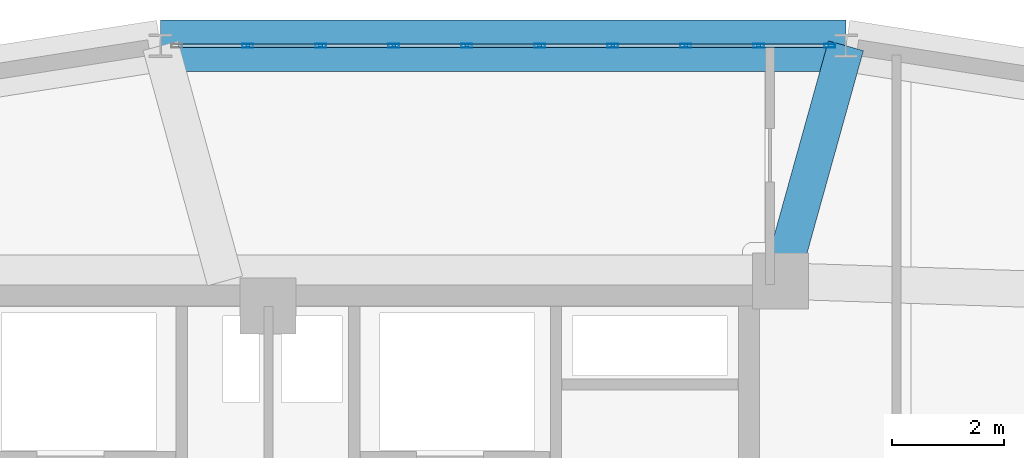
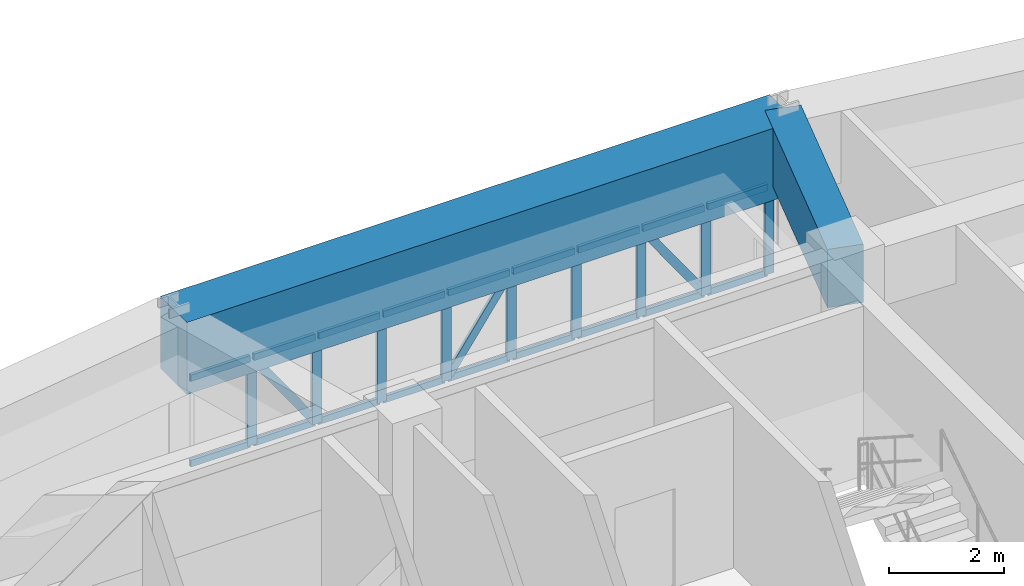
# One storey, part 13 of 19: 30 members, 2 beams, 1 element without a shape of its own.
"""IFC4 building model written with IfcOpenShell, lengths in metres."""

from ifc_helpers import new_model, si_unit, derived_unit, direction, frame, origin, origin_2d, place, context, subcontext, project, spatial, rectangle, hollow_rectangle, extrude, source, transform, mapped, material, layer, layer_set, material_profile, profile_set, type_object, element, aggregate, save


model = new_model("IFC4")

# Units and contexts
model_context = context("Model", 3, precision=1e-05, world=origin(), true_north=direction((0.0, 1.0)))
body_context = subcontext(model_context, "Body", "Model", "MODEL_VIEW")
ifc_project = project(units=[si_unit("LENGTHUNIT", "METRE"), si_unit("AREAUNIT", "SQUARE_METRE"), si_unit("VOLUMEUNIT", "CUBIC_METRE"), si_unit("PLANEANGLEUNIT", "RADIAN"), si_unit("MASSUNIT", "GRAM", prefix="KILO"), derived_unit("THERMALTRANSMITTANCEUNIT", [(si_unit("POWERUNIT", "WATT"), 1), (si_unit("LENGTHUNIT", "METRE"), -2), (si_unit("THERMODYNAMICTEMPERATUREUNIT", "KELVIN"), -1)])], contexts=[model_context])

# Site, building, storey
site_placement = place(None, origin())
site = spatial("IfcSite", under=ifc_project, at=site_placement, CompositionType="ELEMENT")
building_placement = place(site_placement, origin())
building = spatial("IfcBuilding", under=site, at=building_placement, Name="Korsvarv Bourse and Concert Hall", CompositionType="ELEMENT")
storey_placement = place(building_placement, frame((0.0, 0.0, 223.800048828125)))
storey = spatial("IfcBuildingStorey", under=building, at=storey_placement, Name="L58", CompositionType="ELEMENT", Elevation=223.800048828125)

# Beams
ifc_material_1 = material(Name="Concrete C50/60", Category="concrete")
ifc_material_profile_1 = material_profile(ifc_material_1, rectangle(XDim=0.919921875, YDim=1.530029296875, at=origin_2d()), Name="RC-BM 920x1530")
ifc_profile_set_1 = profile_set([ifc_material_profile_1], Name="Concrete C50/60")
beam_type_1 = type_object("IfcBeamType", Name="BM-TR-154", PredefinedType="BEAM", material=ifc_profile_set_1)
shared_shape_1 = source(origin(), body_context, "Body", "SweptSolid", [
    extrude(rectangle(XDim=0.919921875, YDim=1.530029296875, at=origin_2d()), origin(), (0.0, 0.0, 1.0), 12.238037109375),
])
beam_1_placement = place(storey_placement, frame((46.319091796875, 51.449951171875, 2.64501953125), z_axis=(-1.0, 0.0, 0.0), x_axis=(0.0, -1.0, 0.0)))
element("IfcBeam", 1, at=beam_1_placement, inside=storey, type_object=beam_type_1, Name="L58 beam B-TR6", PredefinedType="BEAM", context=body_context, shape_type="MappedRepresentation", body=[
    mapped(shared_shape_1, transform((0.0, 0.0, 0.0), scale=1.0)),
])
ifc_material_profile_2 = material_profile(ifc_material_1, rectangle(XDim=0.64990234375, YDim=1.239990234375, at=origin_2d()), Name="RC-BM 650x1240")
ifc_profile_set_2 = profile_set([ifc_material_profile_2], Name="Concrete C50/60")
beam_type_2 = type_object("IfcBeamType", Name="BM-TR-SPN", PredefinedType="BEAM", material=ifc_profile_set_2)
shared_shape_2 = source(origin(), body_context, "Body", "SweptSolid", [
    extrude(rectangle(XDim=0.64990234375, YDim=1.239990234375, at=origin_2d()), origin(), (0.0, 0.0, 1.0), 4.359619140625),
])
beam_2_placement = place(storey_placement, frame((46.319091796875, 51.449951171875, 2.7900390625), z_axis=(-0.268183924737, -0.963367729641, 0.0), x_axis=(0.963367729641, -0.268183924737, 0.0)))
element("IfcBeam", 2, at=beam_2_placement, inside=storey, type_object=beam_type_2, Name="L58 beam B-TRS", PredefinedType="BEAM", context=body_context, shape_type="MappedRepresentation", body=[
    mapped(shared_shape_2, transform((0.0, 0.0, 0.0), scale=1.0)),
])

# Curtain wall, members
ifc_material_2 = material(Name="Anodised aluminium and triple low-E glazing", Category="glass")
ifc_layer = layer(ifc_material_2, 0.199951171875)
ifc_layer_set = layer_set([ifc_layer], Name="Anodised aluminium and triple low-E glazing")
curtain_wall_type = type_object("IfcCurtainWallType", Name="CW-SYS-3", PredefinedType="NOTDEFINED", material=ifc_layer_set)
curtain_wall_placement = place(storey_placement, origin())
curtain_wall = element("IfcCurtainWall", 3, at=curtain_wall_placement, inside=storey, type_object=curtain_wall_type, Name="L58 CW3 curtain wall CW-L58-F03", PredefinedType="NOTDEFINED")
ifc_material_3 = material(Name="Extruded aluminium EN AW-6063 T66", Category="aluminium")
ifc_material_profile_3 = material_profile(ifc_material_3, hollow_rectangle(XDim=0.070068359375, YDim=0.18994140625, WallThickness=0.0048828125, at=origin_2d()), Name="ALU-M 70x190")
ifc_profile_set_3 = profile_set([ifc_material_profile_3], Name="Extruded aluminium EN AW-6063 T66")
member_type_1 = type_object("IfcMemberType", Name="CWM-190", PredefinedType="MULLION", material=ifc_profile_set_3)
shared_shape_3 = source(origin(), body_context, "Body", "SweptSolid", [
    extrude(hollow_rectangle(XDim=0.070068359375, YDim=0.18994140625, WallThickness=0.0048828125, at=origin_2d()), origin(), (0.0, 0.0, 1.0), 1.8798828125),
])
member_1_placement = place(storey_placement, frame((46.031005859375, 51.449951171875, 0.0), z_axis=(0.0, 0.0, 1.0), x_axis=(0.0, -1.0, 0.0)))
member_1 = element("IfcMember", 4, at=member_1_placement, type_object=member_type_1, Name="CW3 mullion 1", PredefinedType="MULLION", context=body_context, shape_type="MappedRepresentation", body=[
    mapped(shared_shape_3, transform((0.0, 0.0, 0.0), scale=1.0)),
])
member_2_placement = place(storey_placement, frame((44.762451171875, 51.449951171875, 0.0), z_axis=(0.0, 0.0, 1.0), x_axis=(0.0, -1.0, 0.0)))
member_2 = element("IfcMember", 5, at=member_2_placement, type_object=member_type_1, Name="CW3 mullion 2", PredefinedType="MULLION", context=body_context, shape_type="MappedRepresentation", body=[
    mapped(shared_shape_3, transform((0.0, 0.0, 0.0), scale=1.0)),
])
member_3_placement = place(storey_placement, frame((43.458984375, 51.449951171875, 0.0), z_axis=(0.0, 0.0, 1.0), x_axis=(0.0, -1.0, 0.0)))
member_3 = element("IfcMember", 6, at=member_3_placement, type_object=member_type_1, Name="CW3 mullion 3", PredefinedType="MULLION", context=body_context, shape_type="MappedRepresentation", body=[
    mapped(shared_shape_3, transform((0.0, 0.0, 0.0), scale=1.0)),
])
member_4_placement = place(storey_placement, frame((42.1552734375, 51.449951171875, 0.0), z_axis=(0.0, 0.0, 1.0), x_axis=(0.0, -1.0, 0.0)))
member_4 = element("IfcMember", 7, at=member_4_placement, type_object=member_type_1, Name="CW3 mullion 4", PredefinedType="MULLION", context=body_context, shape_type="MappedRepresentation", body=[
    mapped(shared_shape_3, transform((0.0, 0.0, 0.0), scale=1.0)),
])
member_5_placement = place(storey_placement, frame((40.851806640625, 51.449951171875, 0.0), z_axis=(0.0, 0.0, 1.0), x_axis=(0.0, -1.0, 0.0)))
member_5 = element("IfcMember", 8, at=member_5_placement, type_object=member_type_1, Name="CW3 mullion 5", PredefinedType="MULLION", context=body_context, shape_type="MappedRepresentation", body=[
    mapped(shared_shape_3, transform((0.0, 0.0, 0.0), scale=1.0)),
])
member_6_placement = place(storey_placement, frame((39.54833984375, 51.449951171875, 0.0), z_axis=(0.0, 0.0, 1.0), x_axis=(0.0, -1.0, 0.0)))
member_6 = element("IfcMember", 9, at=member_6_placement, type_object=member_type_1, Name="CW3 mullion 6", PredefinedType="MULLION", context=body_context, shape_type="MappedRepresentation", body=[
    mapped(shared_shape_3, transform((0.0, 0.0, 0.0), scale=1.0)),
])
member_7_placement = place(storey_placement, frame((38.24462890625, 51.449951171875, 0.0), z_axis=(0.0, 0.0, 1.0), x_axis=(0.0, -1.0, 0.0)))
member_7 = element("IfcMember", 10, at=member_7_placement, type_object=member_type_1, Name="CW3 mullion 7", PredefinedType="MULLION", context=body_context, shape_type="MappedRepresentation", body=[
    mapped(shared_shape_3, transform((0.0, 0.0, 0.0), scale=1.0)),
])
member_8_placement = place(storey_placement, frame((36.941162109375, 51.449951171875, 0.0), z_axis=(0.0, 0.0, 1.0), x_axis=(0.0, -1.0, 0.0)))
member_8 = element("IfcMember", 11, at=member_8_placement, type_object=member_type_1, Name="CW3 mullion 8", PredefinedType="MULLION", context=body_context, shape_type="MappedRepresentation", body=[
    mapped(shared_shape_3, transform((0.0, 0.0, 0.0), scale=1.0)),
])
member_9_placement = place(storey_placement, frame((35.637451171875, 51.449951171875, 0.0), z_axis=(0.0, 0.0, 1.0), x_axis=(0.0, -1.0, 0.0)))
member_9 = element("IfcMember", 12, at=member_9_placement, type_object=member_type_1, Name="CW3 mullion 9", PredefinedType="MULLION", context=body_context, shape_type="MappedRepresentation", body=[
    mapped(shared_shape_3, transform((0.0, 0.0, 0.0), scale=1.0)),
])
ifc_material_profile_4 = material_profile(ifc_material_3, hollow_rectangle(XDim=0.06494140625, YDim=0.139892578125, WallThickness=0.00390625, at=origin_2d()), Name="ALU-T 65x140")
ifc_profile_set_4 = profile_set([ifc_material_profile_4], Name="Extruded aluminium EN AW-6063 T66")
member_type_2 = type_object("IfcMemberType", Name="CWT-140", PredefinedType="USERDEFINED", material=ifc_profile_set_4)
shared_shape_4 = source(origin(), body_context, "Body", "SweptSolid", [
    extrude(hollow_rectangle(XDim=0.06494140625, YDim=0.139892578125, WallThickness=0.00390625, at=origin_2d()), origin(), (0.0, 0.0, 1.0), 1.19873046875),
])
member_10_placement = place(storey_placement, frame((45.99609375, 51.449951171875, 0.032470703125), z_axis=(-1.0, 0.0, 0.0), x_axis=(0.0, -1.0, 0.0)))
member_10 = element("IfcMember", 13, at=member_10_placement, type_object=member_type_2, Name="CW3 transom 1.1", ObjectType="TRANSOM", PredefinedType="USERDEFINED", context=body_context, shape_type="MappedRepresentation", body=[
    mapped(shared_shape_4, transform((0.0, 0.0, 0.0), scale=1.0)),
])
member_11_placement = place(storey_placement, frame((45.99609375, 51.449951171875, 1.847412109375), z_axis=(-1.0, 0.0, 0.0), x_axis=(0.0, -1.0, 0.0)))
member_11 = element("IfcMember", 14, at=member_11_placement, type_object=member_type_2, Name="CW3 transom 1.2", ObjectType="TRANSOM", PredefinedType="USERDEFINED", context=body_context, shape_type="MappedRepresentation", body=[
    mapped(shared_shape_4, transform((0.0, 0.0, 0.0), scale=1.0)),
])
shared_shape_5 = source(origin(), body_context, "Body", "SweptSolid", [
    extrude(hollow_rectangle(XDim=0.06494140625, YDim=0.139892578125, WallThickness=0.00390625, at=origin_2d()), origin(), (0.0, 0.0, 1.0), 1.233642578125),
])
member_12_placement = place(storey_placement, frame((44.7275390625, 51.449951171875, 0.032470703125), z_axis=(-1.0, 0.0, 0.0), x_axis=(0.0, -1.0, 0.0)))
member_12 = element("IfcMember", 15, at=member_12_placement, type_object=member_type_2, Name="CW3 transom 2.1", ObjectType="TRANSOM", PredefinedType="USERDEFINED", context=body_context, shape_type="MappedRepresentation", body=[
    mapped(shared_shape_5, transform((0.0, 0.0, 0.0), scale=1.0)),
])
member_13_placement = place(storey_placement, frame((44.7275390625, 51.449951171875, 1.847412109375), z_axis=(-1.0, 0.0, 0.0), x_axis=(0.0, -1.0, 0.0)))
member_13 = element("IfcMember", 16, at=member_13_placement, type_object=member_type_2, Name="CW3 transom 2.2", ObjectType="TRANSOM", PredefinedType="USERDEFINED", context=body_context, shape_type="MappedRepresentation", body=[
    mapped(shared_shape_5, transform((0.0, 0.0, 0.0), scale=1.0)),
])
member_14_placement = place(storey_placement, frame((42.120361328125, 51.449951171875, 0.032470703125), z_axis=(-1.0, 0.0, 0.0), x_axis=(0.0, -1.0, 0.0)))
member_14 = element("IfcMember", 17, at=member_14_placement, type_object=member_type_2, Name="CW3 transom 4.1", ObjectType="TRANSOM", PredefinedType="USERDEFINED", context=body_context, shape_type="MappedRepresentation", body=[
    mapped(shared_shape_5, transform((0.0, 0.0, 0.0), scale=1.0)),
])
member_15_placement = place(storey_placement, frame((42.120361328125, 51.449951171875, 1.847412109375), z_axis=(-1.0, 0.0, 0.0), x_axis=(0.0, -1.0, 0.0)))
member_15 = element("IfcMember", 18, at=member_15_placement, type_object=member_type_2, Name="CW3 transom 4.2", ObjectType="TRANSOM", PredefinedType="USERDEFINED", context=body_context, shape_type="MappedRepresentation", body=[
    mapped(shared_shape_5, transform((0.0, 0.0, 0.0), scale=1.0)),
])
member_16_placement = place(storey_placement, frame((40.81689453125, 51.449951171875, 0.032470703125), z_axis=(-1.0, 0.0, 0.0), x_axis=(0.0, -1.0, 0.0)))
member_16 = element("IfcMember", 19, at=member_16_placement, type_object=member_type_2, Name="CW3 transom 5.1", ObjectType="TRANSOM", PredefinedType="USERDEFINED", context=body_context, shape_type="MappedRepresentation", body=[
    mapped(shared_shape_5, transform((0.0, 0.0, 0.0), scale=1.0)),
])
member_17_placement = place(storey_placement, frame((40.81689453125, 51.449951171875, 1.847412109375), z_axis=(-1.0, 0.0, 0.0), x_axis=(0.0, -1.0, 0.0)))
member_17 = element("IfcMember", 20, at=member_17_placement, type_object=member_type_2, Name="CW3 transom 5.2", ObjectType="TRANSOM", PredefinedType="USERDEFINED", context=body_context, shape_type="MappedRepresentation", body=[
    mapped(shared_shape_5, transform((0.0, 0.0, 0.0), scale=1.0)),
])
member_18_placement = place(storey_placement, frame((38.209716796875, 51.449951171875, 0.032470703125), z_axis=(-1.0, 0.0, 0.0), x_axis=(0.0, -1.0, 0.0)))
member_18 = element("IfcMember", 21, at=member_18_placement, type_object=member_type_2, Name="CW3 transom 7.1", ObjectType="TRANSOM", PredefinedType="USERDEFINED", context=body_context, shape_type="MappedRepresentation", body=[
    mapped(shared_shape_5, transform((0.0, 0.0, 0.0), scale=1.0)),
])
member_19_placement = place(storey_placement, frame((38.209716796875, 51.449951171875, 1.847412109375), z_axis=(-1.0, 0.0, 0.0), x_axis=(0.0, -1.0, 0.0)))
member_19 = element("IfcMember", 22, at=member_19_placement, type_object=member_type_2, Name="CW3 transom 7.2", ObjectType="TRANSOM", PredefinedType="USERDEFINED", context=body_context, shape_type="MappedRepresentation", body=[
    mapped(shared_shape_5, transform((0.0, 0.0, 0.0), scale=1.0)),
])
ifc_material_profile_5 = material_profile(ifc_material_3, hollow_rectangle(XDim=0.06494140625, YDim=0.1650390625, WallThickness=0.0048828125, at=origin_2d()), Name="ALU-M 65x165")
ifc_profile_set_5 = profile_set([ifc_material_profile_5], Name="Extruded aluminium EN AW-6063 T66")
member_type_3 = type_object("IfcMemberType", Name="CWM-165", PredefinedType="MULLION", material=ifc_profile_set_5)
shared_shape_6 = source(origin(), body_context, "Body", "SweptSolid", [
    extrude(hollow_rectangle(XDim=0.06494140625, YDim=0.1650390625, WallThickness=0.0048828125, at=origin_2d()), origin(), (0.0, 0.0, 1.0), 2.14111328125),
])
member_20_placement = place(storey_placement, frame((44.7275390625, 51.449951171875, 0.06494140625), z_axis=(-0.576168258963, 0.0, 0.817331106323), x_axis=(0.0, -1.0, 0.0)))
member_20 = element("IfcMember", 23, at=member_20_placement, type_object=member_type_3, Name="CW3 diagonal mullion 2", PredefinedType="MULLION", context=body_context, shape_type="MappedRepresentation", body=[
    mapped(shared_shape_6, transform((0.0, 0.0, 0.0), scale=1.0)),
])
member_21_placement = place(storey_placement, frame((39.583251953125, 51.449951171875, 0.06494140625), z_axis=(0.576168258963, 0.0, 0.817331106323), x_axis=(0.0, 1.0, 0.0)))
member_21 = element("IfcMember", 24, at=member_21_placement, type_object=member_type_3, Name="CW3 diagonal mullion 5", PredefinedType="MULLION", context=body_context, shape_type="MappedRepresentation", body=[
    mapped(shared_shape_6, transform((0.0, 0.0, 0.0), scale=1.0)),
])
shared_shape_7 = source(origin(), body_context, "Body", "SweptSolid", [
    extrude(hollow_rectangle(XDim=0.06494140625, YDim=0.139892578125, WallThickness=0.00390625, at=origin_2d()), origin(), (0.0, 0.0, 1.0), 1.2333984375),
])
member_22_placement = place(storey_placement, frame((43.423828125, 51.449951171875, 0.032470703125), z_axis=(-1.0, 0.0, 0.0), x_axis=(0.0, -1.0, 0.0)))
member_22 = element("IfcMember", 25, at=member_22_placement, type_object=member_type_2, Name="CW3 transom 3.1", ObjectType="TRANSOM", PredefinedType="USERDEFINED", context=body_context, shape_type="MappedRepresentation", body=[
    mapped(shared_shape_7, transform((0.0, 0.0, 0.0), scale=1.0)),
])
member_23_placement = place(storey_placement, frame((43.423828125, 51.449951171875, 1.847412109375), z_axis=(-1.0, 0.0, 0.0), x_axis=(0.0, -1.0, 0.0)))
member_23 = element("IfcMember", 26, at=member_23_placement, type_object=member_type_2, Name="CW3 transom 3.2", ObjectType="TRANSOM", PredefinedType="USERDEFINED", context=body_context, shape_type="MappedRepresentation", body=[
    mapped(shared_shape_7, transform((0.0, 0.0, 0.0), scale=1.0)),
])
member_24_placement = place(storey_placement, frame((39.51318359375, 51.449951171875, 0.032470703125), z_axis=(-1.0, 0.0, 0.0), x_axis=(0.0, -1.0, 0.0)))
member_24 = element("IfcMember", 27, at=member_24_placement, type_object=member_type_2, Name="CW3 transom 6.1", ObjectType="TRANSOM", PredefinedType="USERDEFINED", context=body_context, shape_type="MappedRepresentation", body=[
    mapped(shared_shape_7, transform((0.0, 0.0, 0.0), scale=1.0)),
])
member_25_placement = place(storey_placement, frame((39.51318359375, 51.449951171875, 1.847412109375), z_axis=(-1.0, 0.0, 0.0), x_axis=(0.0, -1.0, 0.0)))
member_25 = element("IfcMember", 28, at=member_25_placement, type_object=member_type_2, Name="CW3 transom 6.2", ObjectType="TRANSOM", PredefinedType="USERDEFINED", context=body_context, shape_type="MappedRepresentation", body=[
    mapped(shared_shape_7, transform((0.0, 0.0, 0.0), scale=1.0)),
])
member_26_placement = place(storey_placement, frame((36.906005859375, 51.449951171875, 0.032470703125), z_axis=(-1.0, 0.0, 0.0), x_axis=(0.0, -1.0, 0.0)))
member_26 = element("IfcMember", 29, at=member_26_placement, type_object=member_type_2, Name="CW3 transom 8.1", ObjectType="TRANSOM", PredefinedType="USERDEFINED", context=body_context, shape_type="MappedRepresentation", body=[
    mapped(shared_shape_7, transform((0.0, 0.0, 0.0), scale=1.0)),
])
member_27_placement = place(storey_placement, frame((36.906005859375, 51.449951171875, 1.847412109375), z_axis=(-1.0, 0.0, 0.0), x_axis=(0.0, -1.0, 0.0)))
member_27 = element("IfcMember", 30, at=member_27_placement, type_object=member_type_2, Name="CW3 transom 8.2", ObjectType="TRANSOM", PredefinedType="USERDEFINED", context=body_context, shape_type="MappedRepresentation", body=[
    mapped(shared_shape_7, transform((0.0, 0.0, 0.0), scale=1.0)),
])
shared_shape_8 = source(origin(), body_context, "Body", "SweptSolid", [
    extrude(hollow_rectangle(XDim=0.06494140625, YDim=0.1650390625, WallThickness=0.0048828125, at=origin_2d()), origin(), (0.0, 0.0, 1.0), 2.140869140625),
])
member_28_placement = place(storey_placement, frame((36.906005859375, 51.449951171875, 0.06494140625), z_axis=(-0.576092079329, 0.0, 0.817384802975), x_axis=(0.0, -1.0, 0.0)))
member_28 = element("IfcMember", 31, at=member_28_placement, type_object=member_type_3, Name="CW3 diagonal mullion 8", PredefinedType="MULLION", context=body_context, shape_type="MappedRepresentation", body=[
    mapped(shared_shape_8, transform((0.0, 0.0, 0.0), scale=1.0)),
])
shared_shape_9 = source(origin(), body_context, "Body", "SweptSolid", [
    extrude(hollow_rectangle(XDim=0.06494140625, YDim=0.139892578125, WallThickness=0.00390625, at=origin_2d()), origin(), (0.0, 0.0, 1.0), 1.198486328125),
])
member_29_placement = place(storey_placement, frame((35.6025390625, 51.449951171875, 0.032470703125), z_axis=(-1.0, 0.0, 0.0), x_axis=(0.0, -1.0, 0.0)))
member_29 = element("IfcMember", 32, at=member_29_placement, type_object=member_type_2, Name="CW3 transom 9.1", ObjectType="TRANSOM", PredefinedType="USERDEFINED", context=body_context, shape_type="MappedRepresentation", body=[
    mapped(shared_shape_9, transform((0.0, 0.0, 0.0), scale=1.0)),
])
member_30_placement = place(storey_placement, frame((35.6025390625, 51.449951171875, 1.847412109375), z_axis=(-1.0, 0.0, 0.0), x_axis=(0.0, -1.0, 0.0)))
member_30 = element("IfcMember", 33, at=member_30_placement, type_object=member_type_2, Name="CW3 transom 9.2", ObjectType="TRANSOM", PredefinedType="USERDEFINED", context=body_context, shape_type="MappedRepresentation", body=[
    mapped(shared_shape_9, transform((0.0, 0.0, 0.0), scale=1.0)),
])
aggregate(curtain_wall, [member_1, member_2, member_3, member_4, member_5, member_6, member_7, member_8, member_9, member_10, member_11, member_12, member_13, member_20, member_22, member_23, member_14, member_15, member_16, member_17, member_21, member_24, member_25, member_18, member_19, member_26, member_27, member_28, member_29, member_30])

save(model, "model.ifc")
